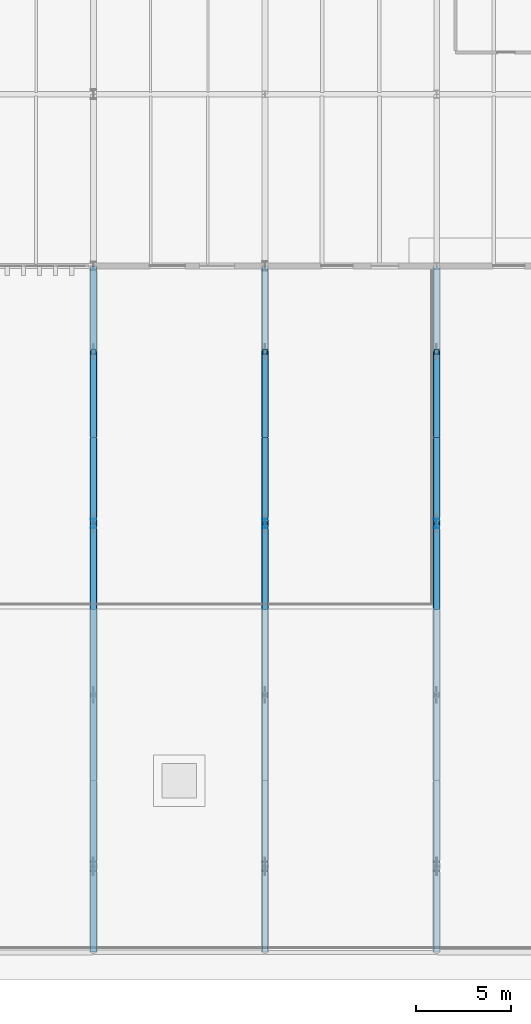
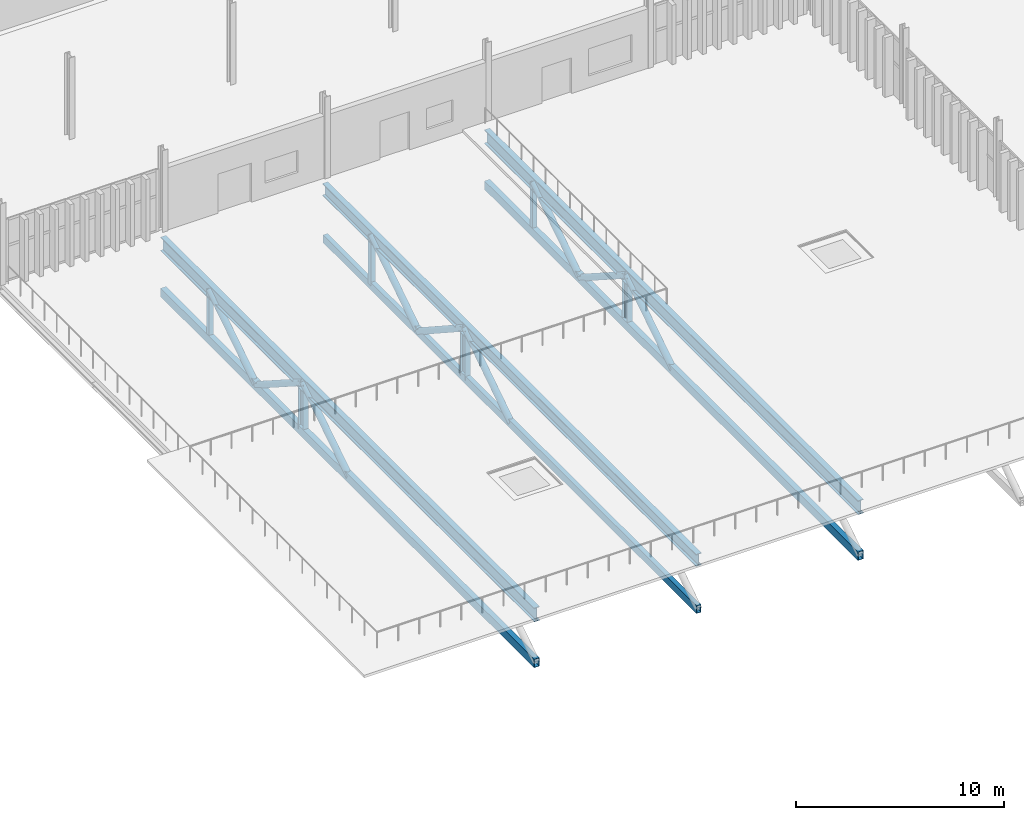
# One storey, part 101 of 196: 18 members, 3 beams.
"""IFC4 building model written with IfcOpenShell, lengths in metres."""

from ifc_helpers import new_model, si_unit, direction, frame, origin, origin_2d, place, context, subcontext, project, spatial, hollow_rectangle, hollow_circle, i_section, extrude, material, material_profile, profile_set, type_object, element, save


model = new_model("IFC4")

# Units and contexts
model_context = context("Model", 3, precision=1e-05, world=origin(), true_north=direction((0.0, 1.0)))
body_context = subcontext(model_context, "Body", "Model", "MODEL_VIEW")
ifc_project = project(units=[si_unit("LENGTHUNIT", "METRE"), si_unit("AREAUNIT", "SQUARE_METRE"), si_unit("VOLUMEUNIT", "CUBIC_METRE"), si_unit("PLANEANGLEUNIT", "RADIAN"), si_unit("MASSUNIT", "GRAM", prefix="KILO")], contexts=[model_context])

# Site, building, storey
site_placement = place(None, origin())
site = spatial("IfcSite", under=ifc_project, at=site_placement, CompositionType="ELEMENT")
building_placement = place(site_placement, origin())
building = spatial("IfcBuilding", under=site, at=building_placement, Name="Barlavento Convention Centre", CompositionType="ELEMENT")
storey_placement = place(building_placement, frame((0.0, 0.0, 18.0)))
storey = spatial("IfcBuildingStorey", under=building, at=storey_placement, Name="L03", CompositionType="ELEMENT", Elevation=18.0)

# Beams
ifc_material_1 = material(Name="Steel S460", Category="steel")
ifc_material_profile_1 = material_profile(ifc_material_1, i_section(OverallWidth=0.303955078125, OverallDepth=0.716064453125, WebThickness=0.02099609375, FlangeThickness=0.0400390625, FilletRadius=0.027099609375, at=origin_2d()), Name="HEM 700")
ifc_profile_set_1 = profile_set([ifc_material_profile_1], Name="Steel S460")
beam_type_1 = type_object("IfcBeamType", Name="STR-BM-TRF-HEM700", PredefinedType="USERDEFINED", material=ifc_profile_set_1)
beam_placement = place(storey_placement, frame((144.0, 0.02001953125, -0.748046875), z_axis=(0.0, 1.0, 0.0), x_axis=(-1.0, 0.0, 0.0)))
element("IfcBeam", 1, at=beam_placement, inside=storey, type_object=beam_type_1, Name="Ballroom transfer truss top chord TG02", ObjectType="TRANSFER_GIRDER", PredefinedType="USERDEFINED", context=body_context, shape_type="SweptSolid", body=[
    extrude(i_section(OverallWidth=0.303955078125, OverallDepth=0.716064453125, WebThickness=0.02099609375, FlangeThickness=0.0400390625, FilletRadius=0.027099609375, at=origin_2d()), origin(), (0.0, 0.0, 1.0), 35.9599609375),
])
ifc_material_profile_2 = material_profile(ifc_material_1, i_section(OverallWidth=0.302978515625, OverallDepth=0.81396484375, WebThickness=0.02099609375, FlangeThickness=0.0400390625, FilletRadius=0.030029296875, at=origin_2d()), Name="HEM 800")
ifc_profile_set_2 = profile_set([ifc_material_profile_2], Name="Steel S460")
beam_type_2 = type_object("IfcBeamType", Name="STR-BM-TRF-HEM800", PredefinedType="USERDEFINED", material=ifc_profile_set_2)
for number, where, z_axis, x_axis, name in (
    (2, (135.0, 0.02001953125, -0.797119140625), (0.0, 1.0, 0.0), (-1.0, 0.0, 0.0), "Ballroom transfer truss top chord TG01"),
    (3, (153.0, 0.02001953125, -0.797119140625), (0.0, 1.0, 0.0), (-1.0, 0.0, 0.0), "Ballroom transfer truss top chord TG01"),
):
    element("IfcBeam", number, at=place(storey_placement, frame(where, z_axis=z_axis, x_axis=x_axis)), inside=storey, type_object=beam_type_2, Name=name, ObjectType="TRANSFER_GIRDER", PredefinedType="USERDEFINED", context=body_context, shape_type="SweptSolid", body=[
        extrude(i_section(OverallWidth=0.302978515625, OverallDepth=0.81396484375, WebThickness=0.02099609375, FlangeThickness=0.0400390625, FilletRadius=0.030029296875, at=origin_2d()), origin(), (0.0, 0.0, 1.0), 35.9599609375),
    ])

# Members
ifc_material_2 = material(Name="Steel S355", Category="steel")
ifc_material_profile_3 = material_profile(ifc_material_2, hollow_circle(Radius=0.177734375, WallThickness=0.01611328125, at=origin_2d()), Name="CHS 355.6x16.0")
ifc_profile_set_3 = profile_set([ifc_material_profile_3], Name="Steel S355")
member_type_1 = type_object("IfcMemberType", Name="STR-MEM-CHD-CHS355", PredefinedType="CHORD", material=ifc_profile_set_3)
for number, where, z_axis, x_axis, name in (
    (4, (135.0, 18.050048828125, -3.64990234375), (0.0, 0.841857615744, 0.53969968947), (-1.0, 0.0, 0.0), "Ballroom transfer truss diagonal TC01"),
    (5, (135.0, 22.5, -0.797119140625), (0.0, 0.841857615744, -0.53969968947), (-1.0, 0.0, 0.0), "Ballroom transfer truss diagonal TC01"),
    (6, (135.0, 27.050048828125, -3.64990234375), (0.0, 0.841857615744, 0.53969968947), (-1.0, 0.0, 0.0), "Ballroom transfer truss diagonal TC01"),
):
    element("IfcMember", number, at=place(storey_placement, frame(where, z_axis=z_axis, x_axis=x_axis)), inside=storey, type_object=member_type_1, Name=name, PredefinedType="CHORD", context=body_context, shape_type="SweptSolid", body=[
        extrude(hollow_circle(Radius=0.177734375, WallThickness=0.01611328125, at=origin_2d()), origin(), (0.0, 0.0, 1.0), 5.285888671875),
    ])
for number, where, z_axis, x_axis, name in (
    (7, (144.0, 18.050048828125, -3.64990234375), (0.0, 0.837635280433, 0.5462299305), (-1.0, 0.0, 0.0), "Ballroom transfer truss diagonal TC01"),
    (8, (144.0, 22.5, -0.748046875), (0.0, 0.837635280433, -0.5462299305), (-1.0, 0.0, 0.0), "Ballroom transfer truss diagonal TC01"),
    (9, (144.0, 27.050048828125, -3.64990234375), (0.0, 0.837635280433, 0.5462299305), (-1.0, 0.0, 0.0), "Ballroom transfer truss diagonal TC01"),
):
    element("IfcMember", number, at=place(storey_placement, frame(where, z_axis=z_axis, x_axis=x_axis)), inside=storey, type_object=member_type_1, Name=name, PredefinedType="CHORD", context=body_context, shape_type="SweptSolid", body=[
        extrude(hollow_circle(Radius=0.177734375, WallThickness=0.01611328125, at=origin_2d()), origin(), (0.0, 0.0, 1.0), 5.3125),
    ])
for number, where, z_axis, x_axis, name in (
    (10, (153.0, 18.050048828125, -3.64990234375), (0.0, 0.841857615744, 0.53969968947), (-1.0, 0.0, 0.0), "Ballroom transfer truss diagonal TC01"),
    (11, (153.0, 22.5, -0.797119140625), (0.0, 0.841857615744, -0.53969968947), (-1.0, 0.0, 0.0), "Ballroom transfer truss diagonal TC01"),
    (12, (153.0, 27.050048828125, -3.64990234375), (0.0, 0.841857615744, 0.53969968947), (-1.0, 0.0, 0.0), "Ballroom transfer truss diagonal TC01"),
):
    element("IfcMember", number, at=place(storey_placement, frame(where, z_axis=z_axis, x_axis=x_axis)), inside=storey, type_object=member_type_1, Name=name, PredefinedType="CHORD", context=body_context, shape_type="SweptSolid", body=[
        extrude(hollow_circle(Radius=0.177734375, WallThickness=0.01611328125, at=origin_2d()), origin(), (0.0, 0.0, 1.0), 5.285888671875),
    ])
ifc_material_profile_4 = material_profile(ifc_material_1, hollow_rectangle(XDim=0.25, YDim=0.449951171875, WallThickness=0.01611328125, at=origin_2d()), Name="RHS 450x250x16.0")
ifc_profile_set_4 = profile_set([ifc_material_profile_4], Name="Steel S460")
member_type_2 = type_object("IfcMemberType", Name="STR-MEM-CHD-RHS450", PredefinedType="CHORD", material=ifc_profile_set_4)
member_1_placement = place(storey_placement, frame((144.0, 0.02001953125, -3.64990234375), z_axis=(0.0, 1.0, 0.0), x_axis=(-1.0, 0.0, 0.0)))
element("IfcMember", 13, at=member_1_placement, inside=storey, type_object=member_type_2, Name="Ballroom transfer truss bottom chord", PredefinedType="CHORD", context=body_context, shape_type="SweptSolid", body=[
    extrude(hollow_rectangle(XDim=0.25, YDim=0.449951171875, WallThickness=0.01611328125, at=origin_2d()), origin(), (0.0, 0.0, 1.0), 35.9599609375),
])
ifc_material_profile_5 = material_profile(ifc_material_1, hollow_rectangle(XDim=0.300048828125, YDim=0.5, WallThickness=0.02001953125, at=origin_2d()), Name="RHS 500x300x20.0")
ifc_profile_set_5 = profile_set([ifc_material_profile_5], Name="Steel S460")
member_type_3 = type_object("IfcMemberType", Name="STR-MEM-CHD-RHS500", PredefinedType="CHORD", material=ifc_profile_set_5)
for number, where, z_axis, x_axis, name in (
    (14, (135.0, 0.02001953125, -3.64990234375), (0.0, 1.0, 0.0), (-1.0, 0.0, 0.0), "Ballroom transfer truss bottom chord"),
    (15, (153.0, 0.02001953125, -3.64990234375), (0.0, 1.0, 0.0), (-1.0, 0.0, 0.0), "Ballroom transfer truss bottom chord"),
):
    element("IfcMember", number, at=place(storey_placement, frame(where, z_axis=z_axis, x_axis=x_axis)), inside=storey, type_object=member_type_3, Name=name, PredefinedType="CHORD", context=body_context, shape_type="SweptSolid", body=[
        extrude(hollow_rectangle(XDim=0.300048828125, YDim=0.5, WallThickness=0.02001953125, at=origin_2d()), origin(), (0.0, 0.0, 1.0), 35.9599609375),
    ])
ifc_material_profile_6 = material_profile(ifc_material_1, i_section(OverallWidth=0.300048828125, OverallDepth=0.5, WebThickness=0.014404296875, FlangeThickness=0.028076171875, FilletRadius=0.027099609375, at=origin_2d()), Name="HEB 500")
ifc_profile_set_6 = profile_set([ifc_material_profile_6], Name="Steel S460")
member_type_4 = type_object("IfcMemberType", Name="STR-MEM-STRUT-HEB500", PredefinedType="STRUT", material=ifc_profile_set_6)
member_2_placement = place(storey_placement, frame((135.0, 22.5, -3.64990234375), z_axis=(0.0, 0.0, 1.0), x_axis=(1.0, 0.0, 0.0)))
element("IfcMember", 16, at=member_2_placement, inside=storey, type_object=member_type_4, Name="Ballroom transfer truss vertical post", PredefinedType="STRUT", context=body_context, shape_type="SweptSolid", body=[
    extrude(i_section(OverallWidth=0.300048828125, OverallDepth=0.5, WebThickness=0.014404296875, FlangeThickness=0.028076171875, FilletRadius=0.027099609375, at=origin_2d()), origin(), (0.0, 0.0, 1.0), 2.852783203125),
])
member_3_placement = place(storey_placement, frame((144.0, 22.5, -3.64990234375), z_axis=(0.0, 0.0, 1.0), x_axis=(1.0, 0.0, 0.0)))
element("IfcMember", 17, at=member_3_placement, inside=storey, type_object=member_type_4, Name="Ballroom transfer truss vertical post", PredefinedType="STRUT", context=body_context, shape_type="SweptSolid", body=[
    extrude(i_section(OverallWidth=0.300048828125, OverallDepth=0.5, WebThickness=0.014404296875, FlangeThickness=0.028076171875, FilletRadius=0.027099609375, at=origin_2d()), origin(), (0.0, 0.0, 1.0), 2.90185546875),
])
member_4_placement = place(storey_placement, frame((153.0, 22.5, -3.64990234375), z_axis=(0.0, 0.0, 1.0), x_axis=(1.0, 0.0, 0.0)))
element("IfcMember", 18, at=member_4_placement, inside=storey, type_object=member_type_4, Name="Ballroom transfer truss vertical post", PredefinedType="STRUT", context=body_context, shape_type="SweptSolid", body=[
    extrude(i_section(OverallWidth=0.300048828125, OverallDepth=0.5, WebThickness=0.014404296875, FlangeThickness=0.028076171875, FilletRadius=0.027099609375, at=origin_2d()), origin(), (0.0, 0.0, 1.0), 2.852783203125),
])
ifc_material_profile_7 = material_profile(ifc_material_2, hollow_rectangle(XDim=0.25, YDim=0.25, WallThickness=0.012451171875, at=origin_2d()), Name="SHS 250x250x12.5")
ifc_profile_set_7 = profile_set([ifc_material_profile_7], Name="Steel S355")
member_type_5 = type_object("IfcMemberType", Name="STR-MEM-STRUT-SHS250", PredefinedType="STRUT", material=ifc_profile_set_7)
member_5_placement = place(storey_placement, frame((135.0, 31.5, -3.64990234375), z_axis=(0.0, 0.0, 1.0), x_axis=(1.0, 0.0, 0.0)))
element("IfcMember", 19, at=member_5_placement, inside=storey, type_object=member_type_5, Name="Ballroom transfer truss vertical post", PredefinedType="STRUT", context=body_context, shape_type="SweptSolid", body=[
    extrude(hollow_rectangle(XDim=0.25, YDim=0.25, WallThickness=0.012451171875, at=origin_2d()), origin(), (0.0, 0.0, 1.0), 2.852783203125),
])
member_6_placement = place(storey_placement, frame((144.0, 31.5, -3.64990234375), z_axis=(0.0, 0.0, 1.0), x_axis=(1.0, 0.0, 0.0)))
element("IfcMember", 20, at=member_6_placement, inside=storey, type_object=member_type_5, Name="Ballroom transfer truss vertical post", PredefinedType="STRUT", context=body_context, shape_type="SweptSolid", body=[
    extrude(hollow_rectangle(XDim=0.25, YDim=0.25, WallThickness=0.012451171875, at=origin_2d()), origin(), (0.0, 0.0, 1.0), 2.90185546875),
])
member_7_placement = place(storey_placement, frame((153.0, 31.5, -3.64990234375), z_axis=(0.0, 0.0, 1.0), x_axis=(1.0, 0.0, 0.0)))
element("IfcMember", 21, at=member_7_placement, inside=storey, type_object=member_type_5, Name="Ballroom transfer truss vertical post", PredefinedType="STRUT", context=body_context, shape_type="SweptSolid", body=[
    extrude(hollow_rectangle(XDim=0.25, YDim=0.25, WallThickness=0.012451171875, at=origin_2d()), origin(), (0.0, 0.0, 1.0), 2.852783203125),
])

save(model, "model.ifc")
